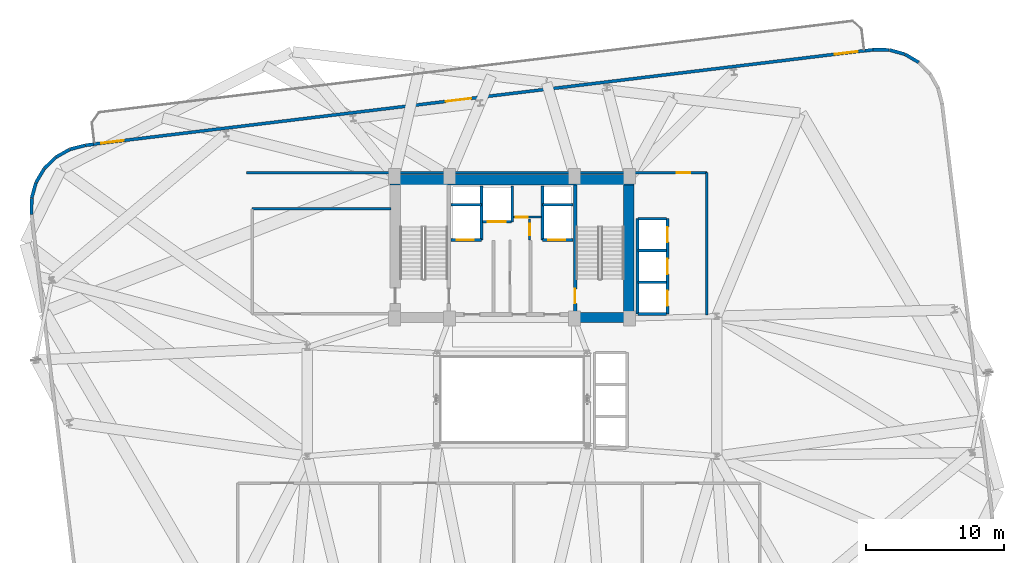
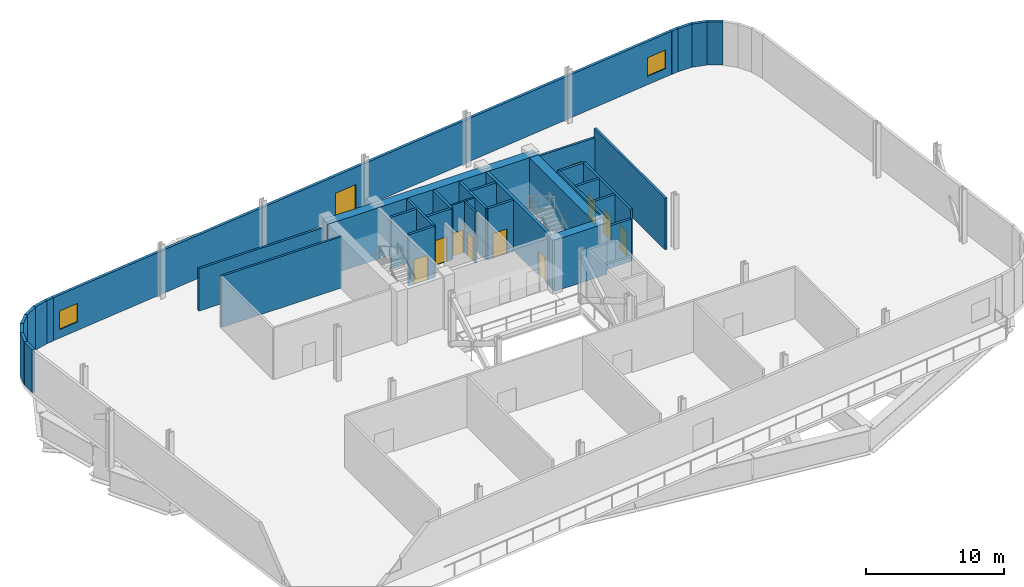
# One storey, part 6 of 11: 35 walls, 11 doors, 2 windows, 13 openings.
"""IFC4 building model written with IfcOpenShell, lengths in metres."""

from ifc_helpers import new_model, si_unit, direction, frame, frame_2d, origin, place, context, subcontext, project, spatial, rectangle, extrude, material, layer, layer_set, type_object, element, fill, save


model = new_model("IFC4")

# Units and contexts
model_context = context("Model", 3, precision=1e-05, world=origin(), true_north=direction((0.0, 1.0)))
body_context = subcontext(model_context, "Body", "Model", "MODEL_VIEW")
ifc_project = project(units=[si_unit("LENGTHUNIT", "METRE"), si_unit("AREAUNIT", "SQUARE_METRE"), si_unit("VOLUMEUNIT", "CUBIC_METRE"), si_unit("PLANEANGLEUNIT", "RADIAN"), si_unit("MASSUNIT", "GRAM", prefix="KILO")], contexts=[model_context])

# Site, building, storey
site_placement = place(None, origin())
site = spatial("IfcSite", under=ifc_project, at=site_placement, CompositionType="ELEMENT")
building_placement = place(site_placement, origin())
building = spatial("IfcBuilding", under=site, at=building_placement, Name="Varnelok Gate Tower", CompositionType="ELEMENT")
storey_placement = place(building_placement, frame((0.0, 0.0, 162.39990234375)))
storey = spatial("IfcBuildingStorey", under=building, at=storey_placement, Name="L41", CompositionType="ELEMENT", Elevation=162.39990234375)

# Wall, openings, door, windows
ifc_material_1 = material(Name="Concrete C45/55", Category="concrete")
ifc_layer_1 = layer(ifc_material_1, 0.219970703125)
ifc_layer_set_1 = layer_set([ifc_layer_1], Name="Concrete C45/55")
wall_type_1 = type_object("IfcWallType", Name="EW-BALC-220", PredefinedType="SOLIDWALL", material=ifc_layer_set_1)
wall_1_placement = place(storey_placement, frame((8.94677734375, 41.365966796875, 0.0), z_axis=(0.0, 0.0, 1.0), x_axis=(0.99273203641, 0.120345768043, 0.0)))
wall_1 = element("IfcWall", 1, at=wall_1_placement, inside=storey, type_object=wall_type_1, Name="L41 North Terrace Envelope Wall 2", PredefinedType="SOLIDWALL", context=body_context, shape_type="SweptSolid", body=[
    extrude(rectangle(XDim=56.199951171875, YDim=0.219970703125, at=frame_2d((28.10009765625, 0.0))), origin(), (0.0, 0.0, 1.0), 3.830078125),
])
opening_1_placement = place(wall_1_placement, frame((25.638671875, 0.0, 0.0)))
opening_1 = element("IfcOpeningElement", 2, at=opening_1_placement, cuts=wall_1, Name="Opening SGD-1", PredefinedType="OPENING", context=body_context, shape_type="SweptSolid", body=[
    extrude(rectangle(XDim=1.85009765625, YDim=2.300048828125, at=frame_2d((0.925048828125, 1.14990234375))), frame((0.0, 0.119873046875, 0.0), z_axis=(0.0, -1.0, 0.0), x_axis=(1.0, 0.0, 0.0)), (0.0, 0.0, 1.0), 0.239990234375),
])
opening_2_placement = place(wall_1_placement, frame((0.550048828125, 0.0, 0.75)))
opening_2 = element("IfcOpeningElement", 3, at=opening_2_placement, cuts=wall_1, Name="Opening WN3", PredefinedType="OPENING", context=body_context, shape_type="SweptSolid", body=[
    extrude(rectangle(XDim=1.64990234375, YDim=1.64990234375, at=frame_2d((0.824951171875, 0.824951171875))), frame((0.0, 0.119873046875, 0.0), z_axis=(0.0, -1.0, 0.0), x_axis=(1.0, 0.0, 0.0)), (0.0, 0.0, 1.0), 0.239990234375),
])
opening_3_placement = place(wall_1_placement, frame((54.0, 0.0, 0.75)))
opening_3 = element("IfcOpeningElement", 4, at=opening_3_placement, cuts=wall_1, Name="Opening WN3", PredefinedType="OPENING", context=body_context, shape_type="SweptSolid", body=[
    extrude(rectangle(XDim=1.64990234375, YDim=1.64990234375, at=frame_2d((0.824951171875, 0.824951171875))), frame((0.0, 0.119873046875, 0.0), z_axis=(0.0, -1.0, 0.0), x_axis=(1.0, 0.0, 0.0)), (0.0, 0.0, 1.0), 0.239990234375),
])
ifc_material_2 = material(Name="Anodized Aluminum Alloy 6063-T6", Category="aluminium")
door_type_1 = type_object("IfcDoorType", Name="DR-EXT-SKYG1850", OperationType="DOUBLE_DOOR_SINGLE_SWING", PredefinedType="DOOR", material=ifc_material_2)
door_1_placement = place(opening_1_placement, origin())
door_1 = element("IfcDoor", 5, at=door_1_placement, inside=storey, type_object=door_type_1, Name="L41 North Sky Garden Glazed Door 2", OperationType="DOUBLE_DOOR_SINGLE_SWING", OverallHeight=2.300048828125, OverallWidth=1.85009765625, PredefinedType="DOOR", context=body_context, shape_type="SweptSolid", body=[
    extrude(rectangle(XDim=1.85009765625, YDim=2.300048828125, at=frame_2d((0.925048828125, 1.14990234375))), frame((0.0, 0.02490234375, 0.0), z_axis=(0.0, -1.0, 0.0), x_axis=(1.0, 0.0, 0.0)), (0.0, 0.0, 1.0), 0.050048828125),
])
fill(opening_1, door_1)
ifc_material_3 = material(Name="Low-E Laminated Double Glazing IGU", Category="glass")
window_type = type_object("IfcWindowType", Name="WN-HTL-1650", PartitioningType="SINGLE_PANEL", PredefinedType="WINDOW", material=ifc_material_3)
window_1_placement = place(opening_2_placement, origin())
window_1 = element("IfcWindow", 6, at=window_1_placement, inside=storey, type_object=window_type, Name="L41 North Vision Window 2.1", OverallHeight=1.64990234375, OverallWidth=1.64990234375, PartitioningType="SINGLE_PANEL", PredefinedType="WINDOW", context=body_context, shape_type="SweptSolid", body=[
    extrude(rectangle(XDim=1.64990234375, YDim=1.64990234375, at=frame_2d((0.824951171875, 0.824951171875))), frame((0.0, 0.030029296875, 0.0), z_axis=(0.0, -1.0, 0.0), x_axis=(1.0, 0.0, 0.0)), (0.0, 0.0, 1.0), 0.06005859375),
])
fill(opening_2, window_1)
window_2_placement = place(opening_3_placement, origin())
window_2 = element("IfcWindow", 7, at=window_2_placement, inside=storey, type_object=window_type, Name="L41 North Vision Window 2.2", OverallHeight=1.64990234375, OverallWidth=1.64990234375, PartitioningType="SINGLE_PANEL", PredefinedType="WINDOW", context=body_context, shape_type="SweptSolid", body=[
    extrude(rectangle(XDim=1.64990234375, YDim=1.64990234375, at=frame_2d((0.824951171875, 0.824951171875))), frame((0.0, 0.030029296875, 0.0), z_axis=(0.0, -1.0, 0.0), x_axis=(1.0, 0.0, 0.0)), (0.0, 0.0, 1.0), 0.06005859375),
])
fill(opening_3, window_2)

# Walls
ifc_layer_2 = layer(ifc_material_1, 0.239990234375)
ifc_layer_set_2 = layer_set([ifc_layer_2], Name="Concrete C45/55")
wall_type_2 = type_object("IfcWallType", Name="EW-PLANT-240", PredefinedType="SOLIDWALL", material=ifc_layer_set_2)
wall_2_placement = place(storey_placement, frame((68.615478515625, 47.2822265625, 0.0), z_axis=(0.0, 0.0, 1.0), x_axis=(-0.860807556343, 0.508930595409, 0.0)))
element("IfcWall", 8, at=wall_2_placement, inside=storey, type_object=wall_type_2, Name="L41 Perimeter Facade Closure Wall 19", PredefinedType="SOLIDWALL", context=body_context, shape_type="SweptSolid", body=[
    extrude(rectangle(XDim=1.14404296875, YDim=0.239990234375, at=frame_2d((0.572021484375, 0.0))), origin(), (0.0, 0.0, 1.0), 3.830078125),
])
wall_3_placement = place(storey_placement, frame((67.606689453125, 47.87109375, 0.0), z_axis=(0.0, 0.0, 1.0), x_axis=(-0.963196301333, 0.268798967814, 0.0)))
element("IfcWall", 9, at=wall_3_placement, inside=storey, type_object=wall_type_2, Name="L41 Perimeter Facade Closure Wall 20", PredefinedType="SOLIDWALL", context=body_context, shape_type="SweptSolid", body=[
    extrude(rectangle(XDim=1.14453125, YDim=0.239990234375, at=frame_2d((0.572265625, 0.0))), origin(), (0.0, 0.0, 1.0), 3.830078125),
])
wall_4_placement = place(storey_placement, frame((66.4794921875, 48.1787109375, 0.0), z_axis=(0.0, 0.0, 1.0), x_axis=(-0.99994611808, 0.010380796565, 0.0)))
element("IfcWall", 10, at=wall_4_placement, inside=storey, type_object=wall_type_2, Name="L41 Perimeter Facade Closure Wall 21", PredefinedType="SOLIDWALL", context=body_context, shape_type="SweptSolid", body=[
    extrude(rectangle(XDim=1.15234375, YDim=0.239990234375, at=frame_2d((0.576171875, 0.0))), origin(), (0.0, 0.0, 1.0), 3.830078125),
])
wall_5_placement = place(storey_placement, frame((65.302490234375, 48.1875, 0.0), z_axis=(0.0, 0.0, 1.0), x_axis=(-0.992760251008, -0.120112797065, 0.0)))
element("IfcWall", 11, at=wall_5_placement, inside=storey, type_object=wall_type_2, Name="L41 Perimeter Facade Closure Wall 22", PredefinedType="SOLIDWALL", context=body_context, shape_type="SweptSolid", body=[
    extrude(rectangle(XDim=0.567138671875, YDim=0.239990234375, at=frame_2d((0.28369140625, 0.0))), origin(), (0.0, 0.0, 1.0), 3.830078125),
])
wall_6_placement = place(storey_placement, frame((8.947998046875, 41.35595703125, 0.0), z_axis=(0.0, 0.0, 1.0), x_axis=(-0.992727811402, -0.120380615004, 0.0)))
element("IfcWall", 12, at=wall_6_placement, inside=storey, type_object=wall_type_2, Name="L41 Perimeter Facade Closure Wall 23", PredefinedType="SOLIDWALL", context=body_context, shape_type="SweptSolid", body=[
    extrude(rectangle(XDim=0.59228515625, YDim=0.239990234375, at=frame_2d((0.296142578125, 0.0))), origin(), (0.0, 0.0, 1.0), 3.830078125),
])
wall_7_placement = place(storey_placement, frame((8.335693359375, 41.278564453125, 0.0), z_axis=(0.0, 0.0, 1.0), x_axis=(-0.968500234366, -0.249012642315, 0.0)))
element("IfcWall", 13, at=wall_7_placement, inside=storey, type_object=wall_type_2, Name="L41 Perimeter Facade Closure Wall 24", PredefinedType="SOLIDWALL", context=body_context, shape_type="SweptSolid", body=[
    extrude(rectangle(XDim=1.152099609375, YDim=0.239990234375, at=frame_2d((0.576171875, 0.0))), origin(), (0.0, 0.0, 1.0), 3.830078125),
])
for number, where, z_axis, x_axis, name in (
    (14, (7.197998046875, 40.9794921875, 0.0), (0.0, 0.0, 1.0), (-0.871039337101, -0.491213266538, 0.0), "L41 Perimeter Facade Closure Wall 25"),
    (15, (6.18359375, 40.39990234375, 0.0), (0.0, 0.0, 1.0), (-0.714430418225, -0.699706493835, 0.0), "L41 Perimeter Facade Closure Wall 26"),
):
    element("IfcWall", number, at=place(storey_placement, frame(where, z_axis=z_axis, x_axis=x_axis)), inside=storey, type_object=wall_type_2, Name=name, PredefinedType="SOLIDWALL", context=body_context, shape_type="SweptSolid", body=[
        extrude(rectangle(XDim=1.14404296875, YDim=0.239990234375, at=frame_2d((0.572021484375, 0.0))), origin(), (0.0, 0.0, 1.0), 3.830078125),
    ])
wall_8_placement = place(storey_placement, frame((5.353515625, 39.577880859375, 0.0), z_axis=(0.0, 0.0, 1.0), x_axis=(-0.508995209988, -0.860769351342, 0.0)))
element("IfcWall", 16, at=wall_8_placement, inside=storey, type_object=wall_type_2, Name="L41 Perimeter Facade Closure Wall 27", PredefinedType="SOLIDWALL", context=body_context, shape_type="SweptSolid", body=[
    extrude(rectangle(XDim=1.14453125, YDim=0.239990234375, at=frame_2d((0.572265625, 0.0))), origin(), (0.0, 0.0, 1.0), 3.830078125),
])
wall_9_placement = place(storey_placement, frame((4.764404296875, 38.568603515625, 0.0), z_axis=(0.0, 0.0, 1.0), x_axis=(-0.268854211828, -0.963180882692, 0.0)))
element("IfcWall", 17, at=wall_9_placement, inside=storey, type_object=wall_type_2, Name="L41 Perimeter Facade Closure Wall 28", PredefinedType="SOLIDWALL", context=body_context, shape_type="SweptSolid", body=[
    extrude(rectangle(XDim=1.144287109375, YDim=0.239990234375, at=frame_2d((0.572265625, 0.0))), origin(), (0.0, 0.0, 1.0), 3.830078125),
])
wall_10_placement = place(storey_placement, frame((4.456787109375, 37.441650390625, 0.0), z_axis=(0.0, 0.0, 1.0), x_axis=(-0.010380796565, -0.99994611808, 0.0)))
element("IfcWall", 18, at=wall_10_placement, inside=storey, type_object=wall_type_2, Name="L41 Perimeter Facade Closure Wall 29", PredefinedType="SOLIDWALL", context=body_context, shape_type="SweptSolid", body=[
    extrude(rectangle(XDim=1.15234375, YDim=0.239990234375, at=frame_2d((0.576171875, 0.0))), origin(), (0.0, 0.0, 1.0), 3.830078125),
])
ifc_material_4 = material(Name="Gypsum Plasterboard Acoustic Partition", Category="gypsum")
ifc_layer_3 = layer(ifc_material_4, 0.179931640625)
ifc_layer_set_3 = layer_set([ifc_layer_3], Name="Gypsum Plasterboard Acoustic Partition")
wall_type_3 = type_object("IfcWallType", Name="PW-CORR-180", PredefinedType="PARTITIONING", material=ifc_layer_set_3)
wall_11_placement = place(storey_placement, frame((20.39990234375, 36.679931640625, 0.0), z_axis=(0.0, 0.0, 1.0), x_axis=(1.0, 0.0, 0.0)))
element("IfcWall", 19, at=wall_11_placement, inside=storey, type_object=wall_type_3, Name="Interior Partition", PredefinedType="PARTITIONING", context=body_context, shape_type="SweptSolid", body=[
    extrude(rectangle(XDim=10.030029296875, YDim=0.179931640625, at=frame_2d((5.01513671875, 0.0))), origin(), (0.0, 0.0, 1.0), 4.550048828125),
])

# Wall, opening, door
wall_12_placement = place(storey_placement, frame((20.0, 39.300048828125, 0.0), z_axis=(0.0, 0.0, 1.0), x_axis=(1.0, 0.0, 0.0)))
wall_12 = element("IfcWall", 20, at=wall_12_placement, inside=storey, type_object=wall_type_3, Name="Interior Partition", PredefinedType="PARTITIONING", context=body_context, shape_type="SweptSolid", body=[
    extrude(rectangle(XDim=33.300048828125, YDim=0.179931640625, at=frame_2d((16.64990234375, 0.0))), origin(), (0.0, 0.0, 1.0), 3.76220703125),
])
opening_4_placement = place(wall_12_placement, frame((31.10009765625, 0.0, 0.0)))
opening_4 = element("IfcOpeningElement", 21, at=opening_4_placement, cuts=wall_12, Name="Opening D-I1", PredefinedType="OPENING", context=body_context, shape_type="SweptSolid", body=[
    extrude(rectangle(XDim=1.0, YDim=2.050048828125, at=frame_2d((0.5, 1.02490234375))), frame((0.0, 0.099853515625, 0.0), z_axis=(0.0, -1.0, 0.0), x_axis=(1.0, 0.0, 0.0)), (0.0, 0.0, 1.0), 0.199951171875),
])
ifc_material_5 = material(Name="Engineered Hardwood Timber", Category="wood")
door_type_2 = type_object("IfcDoorType", Name="DR-INT-1000", OperationType="NOTDEFINED", PredefinedType="DOOR", material=ifc_material_5)
door_2_placement = place(opening_4_placement, origin())
door_2 = element("IfcDoor", 22, at=door_2_placement, inside=storey, type_object=door_type_2, Name="L41 Sky Garden Lounge Door", OperationType="SINGLE_SWING_LEFT", OverallHeight=2.050048828125, OverallWidth=1.0, PredefinedType="DOOR", context=body_context, shape_type="SweptSolid", body=[
    extrude(rectangle(XDim=1.0, YDim=2.050048828125, at=frame_2d((0.5, 1.02490234375))), frame((0.0, 0.02490234375, 0.0), z_axis=(0.0, -1.0, 0.0), x_axis=(1.0, 0.0, 0.0)), (0.0, 0.0, 1.0), 0.050048828125),
])
fill(opening_4, door_2)

# Wall
wall_13_placement = place(storey_placement, frame((53.300048828125, 29.02001953125, 0.0), z_axis=(0.0, 0.0, 1.0), x_axis=(0.0, 1.0, 0.0)))
element("IfcWall", 23, at=wall_13_placement, inside=storey, type_object=wall_type_3, Name="Interior Partition", PredefinedType="PARTITIONING", context=body_context, shape_type="SweptSolid", body=[
    extrude(rectangle(XDim=10.280029296875, YDim=0.179931640625, at=frame_2d((5.14013671875, 0.0))), origin(), (0.0, 0.0, 1.0), 4.550048828125),
])

# Wall, opening, door
ifc_layer_4 = layer(ifc_material_4, 0.14990234375)
ifc_layer_set_4 = layer_set([ifc_layer_4], Name="Gypsum Plasterboard Acoustic Partition")
wall_type_4 = type_object("IfcWallType", Name="PW-PART-150", PredefinedType="PARTITIONING", material=ifc_layer_set_4)
wall_14_placement = place(storey_placement, frame((39.300048828125, 36.080078125, 0.0), z_axis=(0.0, 0.0, 1.0), x_axis=(1.0, 0.0, 0.0)))
wall_14 = element("IfcWall", 24, at=wall_14_placement, inside=storey, type_object=wall_type_4, Name="L41 Electrical Closet South Wall", PredefinedType="PARTITIONING", context=body_context, shape_type="SweptSolid", body=[
    extrude(rectangle(XDim=2.02001953125, YDim=0.14990234375, at=frame_2d((1.010009765625, 0.0))), origin(), (0.0, 0.0, 1.0), 4.550048828125),
])
opening_5_placement = place(wall_14_placement, frame((0.179931640625, 0.0, 0.0)))
opening_5 = element("IfcOpeningElement", 25, at=opening_5_placement, cuts=wall_14, Name="Opening D-RS", PredefinedType="OPENING", context=body_context, shape_type="SweptSolid", body=[
    extrude(rectangle(XDim=0.85009765625, YDim=2.050048828125, at=frame_2d((0.425048828125, 1.02490234375))), frame((0.0, 0.0849609375, 0.0), z_axis=(0.0, -1.0, 0.0), x_axis=(1.0, 0.0, 0.0)), (0.0, 0.0, 1.0), 0.169921875),
])
ifc_material_6 = material(Name="Galvanized Steel Grade S350GD", Category="steel")
door_type_3 = type_object("IfcDoorType", Name="DR-RISER-850", OperationType="NOTDEFINED", PredefinedType="DOOR", material=ifc_material_6)
door_3_placement = place(opening_5_placement, origin())
door_3 = element("IfcDoor", 26, at=door_3_placement, inside=storey, type_object=door_type_3, Name="L41 Electrical Closet Door", OperationType="SINGLE_SWING_RIGHT", OverallHeight=2.050048828125, OverallWidth=0.85009765625, PredefinedType="DOOR", context=body_context, shape_type="SweptSolid", body=[
    extrude(rectangle(XDim=0.85009765625, YDim=2.050048828125, at=frame_2d((0.425048828125, 1.02490234375))), frame((0.0, 0.02490234375, 0.0), z_axis=(0.0, -1.0, 0.0), x_axis=(1.0, 0.0, 0.0)), (0.0, 0.0, 1.0), 0.050048828125),
])
fill(opening_5, door_3)

wall_15_placement = place(storey_placement, frame((40.47998046875, 34.43994140625, 0.0), z_axis=(0.0, 0.0, 1.0), x_axis=(0.0, 1.0, 0.0)))
wall_15 = element("IfcWall", 27, at=wall_15_placement, inside=storey, type_object=wall_type_4, Name="L41 Telecoms Closet West Wall", PredefinedType="PARTITIONING", context=body_context, shape_type="SweptSolid", body=[
    extrude(rectangle(XDim=1.52001953125, YDim=0.14990234375, at=frame_2d((0.760009765625, 0.0))), origin(), (0.0, 0.0, 1.0), 4.550048828125),
])
opening_6_placement = place(wall_15_placement, frame((0.320068359375, 0.0, 0.0)))
opening_6 = element("IfcOpeningElement", 28, at=opening_6_placement, cuts=wall_15, Name="Opening D-RS", PredefinedType="OPENING", context=body_context, shape_type="SweptSolid", body=[
    extrude(rectangle(XDim=0.85009765625, YDim=2.050048828125, at=frame_2d((0.425048828125, 1.02490234375))), frame((0.0, 0.0849609375, 0.0), z_axis=(0.0, -1.0, 0.0), x_axis=(1.0, 0.0, 0.0)), (0.0, 0.0, 1.0), 0.169921875),
])
door_4_placement = place(opening_6_placement, origin())
door_4 = element("IfcDoor", 29, at=door_4_placement, inside=storey, type_object=door_type_3, Name="L41 Telecoms Closet Door", OperationType="SINGLE_SWING_LEFT", OverallHeight=2.050048828125, OverallWidth=0.85009765625, PredefinedType="DOOR", context=body_context, shape_type="SweptSolid", body=[
    extrude(rectangle(XDim=0.85009765625, YDim=2.050048828125, at=frame_2d((0.425048828125, 1.02490234375))), frame((0.0, 0.02490234375, 0.0), z_axis=(0.0, -1.0, 0.0), x_axis=(1.0, 0.0, 0.0)), (0.0, 0.0, 1.0), 0.050048828125),
])
fill(opening_6, door_4)

ifc_material_7 = material(Name="Concrete C35/45", Category="concrete")
ifc_layer_5 = layer(ifc_material_7, 0.199951171875)
ifc_layer_set_5 = layer_set([ifc_layer_5], Name="Concrete C35/45")
wall_type_5 = type_object("IfcWallType", Name="PW-SHAFT-200", PredefinedType="PARTITIONING", material=ifc_layer_set_5)
wall_16_placement = place(storey_placement, frame((34.800048828125, 34.43994140625, 0.0), z_axis=(0.0, 0.0, 1.0), x_axis=(1.0, 0.0, 0.0)))
wall_16 = element("IfcWall", 30, at=wall_16_placement, inside=storey, type_object=wall_type_5, Name="L41 FF1 Shaft Front Wall", PredefinedType="PARTITIONING", context=body_context, shape_type="SweptSolid", body=[
    extrude(rectangle(XDim=2.179931640625, YDim=0.199951171875, at=frame_2d((1.08984375, 0.0))), origin(), (0.0, 0.0, 1.0), 4.550048828125),
])
opening_7_placement = place(wall_16_placement, frame((0.419921875, 0.0, 0.0)))
opening_7 = element("IfcOpeningElement", 31, at=opening_7_placement, cuts=wall_16, Name="Opening LD-FF1", PredefinedType="OPENING", context=body_context, shape_type="SweptSolid", body=[
    extrude(rectangle(XDim=1.199951171875, YDim=2.199951171875, at=frame_2d((0.60009765625, 1.10009765625))), frame((0.0, 0.10986328125, 0.0), z_axis=(0.0, -1.0, 0.0), x_axis=(1.0, 0.0, 0.0)), (0.0, 0.0, 1.0), 0.219970703125),
])
door_type_4 = type_object("IfcDoorType", Name="DR-LIFT-FF1200", OperationType="SLIDING_TO_LEFT", PredefinedType="DOOR", material=ifc_material_6)
door_5_placement = place(opening_7_placement, origin())
door_5 = element("IfcDoor", 32, at=door_5_placement, inside=storey, type_object=door_type_4, Name="L41 Firefighting Lift Landing Door LD-FF1", OperationType="SLIDING_TO_LEFT", OverallHeight=2.199951171875, OverallWidth=1.199951171875, PredefinedType="DOOR", context=body_context, shape_type="SweptSolid", body=[
    extrude(rectangle(XDim=1.199951171875, YDim=2.199951171875, at=frame_2d((0.60009765625, 1.10009765625))), frame((0.0, 0.02490234375, 0.0), z_axis=(0.0, -1.0, 0.0), x_axis=(1.0, 0.0, 0.0)), (0.0, 0.0, 1.0), 0.050048828125),
])
fill(opening_7, door_5)

# Walls
wall_17_placement = place(storey_placement, frame((34.800048828125, 36.97998046875, 0.0), z_axis=(0.0, 0.0, 1.0), x_axis=(1.0, 0.0, 0.0)))
element("IfcWall", 33, at=wall_17_placement, inside=storey, type_object=wall_type_5, Name="L41 FF1 Shaft North Wall", PredefinedType="PARTITIONING", context=body_context, shape_type="SweptSolid", body=[
    extrude(rectangle(XDim=2.179931640625, YDim=0.199951171875, at=frame_2d((1.08984375, 0.0))), origin(), (0.0, 0.0, 1.0), 4.550048828125),
])
wall_18_placement = place(storey_placement, frame((37.0, 34.43994140625, 0.0), z_axis=(0.0, 0.0, 1.0), x_axis=(0.0, 1.0, 0.0)))
element("IfcWall", 34, at=wall_18_placement, inside=storey, type_object=wall_type_5, Name="L41 FF1 Shaft Side Wall", PredefinedType="PARTITIONING", context=body_context, shape_type="SweptSolid", body=[
    extrude(rectangle(XDim=3.900146484375, YDim=0.199951171875, at=frame_2d((1.9501953125, 0.0))), origin(), (0.0, 0.0, 1.0), 4.550048828125),
])

# Wall, opening, door
wall_19_placement = place(storey_placement, frame((41.419921875, 34.43994140625, 0.0), z_axis=(0.0, 0.0, 1.0), x_axis=(1.0, 0.0, 0.0)))
wall_19 = element("IfcWall", 35, at=wall_19_placement, inside=storey, type_object=wall_type_5, Name="L41 FF2 Shaft Front Wall", PredefinedType="PARTITIONING", context=body_context, shape_type="SweptSolid", body=[
    extrude(rectangle(XDim=2.18017578125, YDim=0.199951171875, at=frame_2d((1.090087890625, 0.0))), origin(), (0.0, 0.0, 1.0), 4.550048828125),
])
opening_8_placement = place(wall_19_placement, frame((0.419921875, 0.0, 0.0)))
opening_8 = element("IfcOpeningElement", 36, at=opening_8_placement, cuts=wall_19, Name="Opening LD-FF2", PredefinedType="OPENING", context=body_context, shape_type="SweptSolid", body=[
    extrude(rectangle(XDim=1.199951171875, YDim=2.199951171875, at=frame_2d((0.60009765625, 1.10009765625))), frame((0.0, 0.10986328125, 0.0), z_axis=(0.0, -1.0, 0.0), x_axis=(1.0, 0.0, 0.0)), (0.0, 0.0, 1.0), 0.219970703125),
])
door_6_placement = place(opening_8_placement, origin())
door_6 = element("IfcDoor", 37, at=door_6_placement, inside=storey, type_object=door_type_4, Name="L41 Firefighting Lift Landing Door LD-FF2", OperationType="SLIDING_TO_LEFT", OverallHeight=2.199951171875, OverallWidth=1.199951171875, PredefinedType="DOOR", context=body_context, shape_type="SweptSolid", body=[
    extrude(rectangle(XDim=1.199951171875, YDim=2.199951171875, at=frame_2d((0.60009765625, 1.10009765625))), frame((0.0, 0.02490234375, 0.0), z_axis=(0.0, -1.0, 0.0), x_axis=(1.0, 0.0, 0.0)), (0.0, 0.0, 1.0), 0.050048828125),
])
fill(opening_8, door_6)

# Walls
wall_20_placement = place(storey_placement, frame((41.419921875, 36.97998046875, 0.0), z_axis=(0.0, 0.0, 1.0), x_axis=(1.0, 0.0, 0.0)))
element("IfcWall", 38, at=wall_20_placement, inside=storey, type_object=wall_type_5, Name="L41 FF2 Shaft North Wall", PredefinedType="PARTITIONING", context=body_context, shape_type="SweptSolid", body=[
    extrude(rectangle(XDim=2.18017578125, YDim=0.199951171875, at=frame_2d((1.090087890625, 0.0))), origin(), (0.0, 0.0, 1.0), 4.550048828125),
])
wall_21_placement = place(storey_placement, frame((41.39990234375, 34.43994140625, 0.0), z_axis=(0.0, 0.0, 1.0), x_axis=(0.0, 1.0, 0.0)))
element("IfcWall", 39, at=wall_21_placement, inside=storey, type_object=wall_type_5, Name="L41 FF2 Shaft Side Wall", PredefinedType="PARTITIONING", context=body_context, shape_type="SweptSolid", body=[
    extrude(rectangle(XDim=3.900146484375, YDim=0.199951171875, at=frame_2d((1.9501953125, 0.0))), origin(), (0.0, 0.0, 1.0), 4.550048828125),
])

# Wall, opening, door
wall_22_placement = place(storey_placement, frame((37.06005859375, 35.75, 0.0), z_axis=(0.0, 0.0, 1.0), x_axis=(1.0, 0.0, 0.0)))
wall_22 = element("IfcWall", 40, at=wall_22_placement, inside=storey, type_object=wall_type_5, Name="L41 SV1 Shaft Front Wall", PredefinedType="PARTITIONING", context=body_context, shape_type="SweptSolid", body=[
    extrude(rectangle(XDim=2.119873046875, YDim=0.199951171875, at=frame_2d((1.06005859375, 0.0))), origin(), (0.0, 0.0, 1.0), 4.550048828125),
])
opening_9_placement = place(wall_22_placement, frame((0.39990234375, 0.0, 0.0)))
opening_9 = element("IfcOpeningElement", 41, at=opening_9_placement, cuts=wall_22, Name="Opening LD-SV1", PredefinedType="OPENING", context=body_context, shape_type="SweptSolid", body=[
    extrude(rectangle(XDim=1.300048828125, YDim=2.199951171875, at=frame_2d((0.64990234375, 1.10009765625))), frame((0.0, 0.10986328125, 0.0), z_axis=(0.0, -1.0, 0.0), x_axis=(1.0, 0.0, 0.0)), (0.0, 0.0, 1.0), 0.219970703125),
])
door_type_5 = type_object("IfcDoorType", Name="DR-LIFT-SV1300", OperationType="SLIDING_TO_LEFT", PredefinedType="DOOR", material=ifc_material_6)
door_7_placement = place(opening_9_placement, origin())
door_7 = element("IfcDoor", 42, at=door_7_placement, inside=storey, type_object=door_type_5, Name="L41 Service Lift Landing Door LD-SV1", OperationType="SLIDING_TO_LEFT", OverallHeight=2.199951171875, OverallWidth=1.300048828125, PredefinedType="DOOR", context=body_context, shape_type="SweptSolid", body=[
    extrude(rectangle(XDim=1.300048828125, YDim=2.199951171875, at=frame_2d((0.64990234375, 1.10009765625))), frame((0.0, 0.02490234375, 0.0), z_axis=(0.0, -1.0, 0.0), x_axis=(1.0, 0.0, 0.0)), (0.0, 0.0, 1.0), 0.050048828125),
])
fill(opening_9, door_7)

# Walls
wall_23_placement = place(storey_placement, frame((39.219970703125, 35.75, 0.0), z_axis=(0.0, 0.0, 1.0), x_axis=(0.0, 1.0, 0.0)))
element("IfcWall", 43, at=wall_23_placement, inside=storey, type_object=wall_type_5, Name="L41 SV1 Shaft East Wall", PredefinedType="PARTITIONING", context=body_context, shape_type="SweptSolid", body=[
    extrude(rectangle(XDim=2.590087890625, YDim=0.199951171875, at=frame_2d((1.294921875, 0.0))), origin(), (0.0, 0.0, 1.0), 4.550048828125),
])
for number, where, z_axis, x_axis, name in (
    (44, (48.320068359375, 31.375, 0.0), (0.0, 0.0, 1.0), (1.0, 0.0, 0.0), "L41 PM1 Divider"),
    (45, (48.320068359375, 33.675048828125, 0.0), (0.0, 0.0, 1.0), (1.0, 0.0, 0.0), "L41 PM2 Divider"),
):
    element("IfcWall", number, at=place(storey_placement, frame(where, z_axis=z_axis, x_axis=x_axis)), inside=storey, type_object=wall_type_5, Name=name, PredefinedType="PARTITIONING", context=body_context, shape_type="SweptSolid", body=[
        extrude(rectangle(XDim=2.059814453125, YDim=0.199951171875, at=frame_2d((1.02978515625, 0.0))), origin(), (0.0, 0.0, 1.0), 4.550048828125),
    ])
wall_24_placement = place(storey_placement, frame((48.320068359375, 29.080078125, 0.0), z_axis=(0.0, 0.0, 1.0), x_axis=(1.0, 0.0, 0.0)))
element("IfcWall", 46, at=wall_24_placement, inside=storey, type_object=wall_type_5, Name="L41 PM Bank South Wall", PredefinedType="PARTITIONING", context=body_context, shape_type="SweptSolid", body=[
    extrude(rectangle(XDim=2.059814453125, YDim=0.199951171875, at=frame_2d((1.02978515625, 0.0))), origin(), (0.0, 0.0, 1.0), 3.76220703125),
])
wall_25_placement = place(storey_placement, frame((48.320068359375, 35.969970703125, 0.0), z_axis=(0.0, 0.0, 1.0), x_axis=(1.0, 0.0, 0.0)))
element("IfcWall", 47, at=wall_25_placement, inside=storey, type_object=wall_type_5, Name="L41 PM Bank North Wall", PredefinedType="PARTITIONING", context=body_context, shape_type="SweptSolid", body=[
    extrude(rectangle(XDim=2.059814453125, YDim=0.199951171875, at=frame_2d((1.02978515625, 0.0))), origin(), (0.0, 0.0, 1.0), 4.550048828125),
])
wall_26_placement = place(storey_placement, frame((48.280029296875, 29.080078125, 0.0), z_axis=(0.0, 0.0, 1.0), x_axis=(0.0, 1.0, 0.0)))
element("IfcWall", 48, at=wall_26_placement, inside=storey, type_object=wall_type_5, Name="L41 PM Bank Back Wall", PredefinedType="PARTITIONING", context=body_context, shape_type="SweptSolid", body=[
    extrude(rectangle(XDim=6.889892578125, YDim=0.199951171875, at=frame_2d((3.44482421875, 0.0))), origin(), (0.0, 0.0, 1.0), 4.550048828125),
])

# Wall, openings, doors
wall_27_placement = place(storey_placement, frame((50.43994140625, 29.080078125, 0.0), z_axis=(0.0, 0.0, 1.0), x_axis=(0.0, 1.0, 0.0)))
wall_27 = element("IfcWall", 49, at=wall_27_placement, inside=storey, type_object=wall_type_5, Name="L41 PM Bank Front Wall", PredefinedType="PARTITIONING", context=body_context, shape_type="SweptSolid", body=[
    extrude(rectangle(XDim=6.889892578125, YDim=0.199951171875, at=frame_2d((3.44482421875, 0.0))), origin(), (0.0, 0.0, 1.0), 4.550048828125),
])
opening_10_placement = place(wall_27_placement, frame((0.590087890625, 0.0, 0.0)))
opening_10 = element("IfcOpeningElement", 50, at=opening_10_placement, cuts=wall_27, Name="Opening LD-PM1", PredefinedType="OPENING", context=body_context, shape_type="SweptSolid", body=[
    extrude(rectangle(XDim=1.10009765625, YDim=2.14990234375, at=frame_2d((0.550048828125, 1.074951171875))), frame((0.0, 0.10986328125, 0.0), z_axis=(0.0, -1.0, 0.0), x_axis=(1.0, 0.0, 0.0)), (0.0, 0.0, 1.0), 0.219970703125),
])
opening_11_placement = place(wall_27_placement, frame((2.889892578125, 0.0, 0.0)))
opening_11 = element("IfcOpeningElement", 51, at=opening_11_placement, cuts=wall_27, Name="Opening LD-PM2", PredefinedType="OPENING", context=body_context, shape_type="SweptSolid", body=[
    extrude(rectangle(XDim=1.10009765625, YDim=2.14990234375, at=frame_2d((0.550048828125, 1.074951171875))), frame((0.0, 0.10986328125, 0.0), z_axis=(0.0, -1.0, 0.0), x_axis=(1.0, 0.0, 0.0)), (0.0, 0.0, 1.0), 0.219970703125),
])
opening_12_placement = place(wall_27_placement, frame((5.18994140625, 0.0, 0.0)))
opening_12 = element("IfcOpeningElement", 52, at=opening_12_placement, cuts=wall_27, Name="Opening LD-PM3", PredefinedType="OPENING", context=body_context, shape_type="SweptSolid", body=[
    extrude(rectangle(XDim=1.10009765625, YDim=2.14990234375, at=frame_2d((0.550048828125, 1.074951171875))), frame((0.0, 0.10986328125, 0.0), z_axis=(0.0, -1.0, 0.0), x_axis=(1.0, 0.0, 0.0)), (0.0, 0.0, 1.0), 0.219970703125),
])
door_type_6 = type_object("IfcDoorType", Name="DR-LIFT-PAX1100", OperationType="SLIDING_TO_LEFT", PredefinedType="DOOR", material=ifc_material_6)
door_8_placement = place(opening_10_placement, origin())
door_8 = element("IfcDoor", 53, at=door_8_placement, inside=storey, type_object=door_type_6, Name="L41 Passenger Lift Landing Door LD-PM1", OperationType="SLIDING_TO_LEFT", OverallHeight=2.14990234375, OverallWidth=1.10009765625, PredefinedType="DOOR", context=body_context, shape_type="SweptSolid", body=[
    extrude(rectangle(XDim=1.10009765625, YDim=2.14990234375, at=frame_2d((0.550048828125, 1.074951171875))), frame((0.0, 0.02490234375, 0.0), z_axis=(0.0, -1.0, 0.0), x_axis=(1.0, 0.0, 0.0)), (0.0, 0.0, 1.0), 0.050048828125),
])
fill(opening_10, door_8)
door_9_placement = place(opening_11_placement, origin())
door_9 = element("IfcDoor", 54, at=door_9_placement, inside=storey, type_object=door_type_6, Name="L41 Passenger Lift Landing Door LD-PM2", OperationType="SLIDING_TO_LEFT", OverallHeight=2.14990234375, OverallWidth=1.10009765625, PredefinedType="DOOR", context=body_context, shape_type="SweptSolid", body=[
    extrude(rectangle(XDim=1.10009765625, YDim=2.14990234375, at=frame_2d((0.550048828125, 1.074951171875))), frame((0.0, 0.02490234375, 0.0), z_axis=(0.0, -1.0, 0.0), x_axis=(1.0, 0.0, 0.0)), (0.0, 0.0, 1.0), 0.050048828125),
])
fill(opening_11, door_9)
door_10_placement = place(opening_12_placement, origin())
door_10 = element("IfcDoor", 55, at=door_10_placement, inside=storey, type_object=door_type_6, Name="L41 Passenger Lift Landing Door LD-PM3", OperationType="SLIDING_TO_LEFT", OverallHeight=2.14990234375, OverallWidth=1.10009765625, PredefinedType="DOOR", context=body_context, shape_type="SweptSolid", body=[
    extrude(rectangle(XDim=1.10009765625, YDim=2.14990234375, at=frame_2d((0.550048828125, 1.074951171875))), frame((0.0, 0.02490234375, 0.0), z_axis=(0.0, -1.0, 0.0), x_axis=(1.0, 0.0, 0.0)), (0.0, 0.0, 1.0), 0.050048828125),
])
fill(opening_12, door_10)

# Walls
ifc_material_8 = material(Name="Concrete C70/85", Category="concrete")
ifc_layer_6 = layer(ifc_material_8, 0.75)
ifc_layer_set_6 = layer_set([ifc_layer_6], Name="Concrete C70/85")
wall_type_6 = type_object("IfcWallType", Name="SW-CORE-750", PredefinedType="SHEAR", material=ifc_layer_set_6)
wall_28_placement = place(storey_placement, frame((30.3798828125, 38.794921875, 0.0), z_axis=(0.0, 0.0, 1.0), x_axis=(1.0, 0.0, 0.0)))
element("IfcWall", 56, at=wall_28_placement, inside=storey, type_object=wall_type_6, Name="L41 Rear Core North Shear Wall", PredefinedType="SHEAR", context=body_context, shape_type="SweptSolid", body=[
    extrude(rectangle(XDim=17.64013671875, YDim=0.75, at=frame_2d((8.820068359375, 0.0))), origin(), (0.0, 0.0, 1.0), 4.550048828125),
])
wall_29_placement = place(storey_placement, frame((47.64501953125, 29.199951171875, 0.0), z_axis=(0.0, 0.0, 1.0), x_axis=(0.0, 1.0, 0.0)))
element("IfcWall", 57, at=wall_29_placement, inside=storey, type_object=wall_type_6, Name="L41 Rear Core East Shear Wall", PredefinedType="SHEAR", context=body_context, shape_type="SweptSolid", body=[
    extrude(rectangle(XDim=9.219970703125, YDim=0.75, at=frame_2d((4.60986328125, 0.0))), origin(), (0.0, 0.0, 1.0), 4.550048828125),
])
wall_30_placement = place(storey_placement, frame((43.60009765625, 28.824951171875, 0.0), z_axis=(0.0, 0.0, 1.0), x_axis=(1.0, 0.0, 0.0)))
element("IfcWall", 58, at=wall_30_placement, inside=storey, type_object=wall_type_6, Name="L41 Rear Core South-East Shear Wall", PredefinedType="SHEAR", context=body_context, shape_type="SweptSolid", body=[
    extrude(rectangle(XDim=4.419921875, YDim=0.75, at=frame_2d((2.2099609375, 0.0))), origin(), (0.0, 0.0, 1.0), 4.550048828125),
])

# Wall, opening, door
ifc_material_9 = material(Name="Concrete C60/75", Category="concrete")
ifc_layer_7 = layer(ifc_material_9, 0.25)
ifc_layer_set_7 = layer_set([ifc_layer_7], Name="Concrete C60/75")
wall_type_7 = type_object("IfcWallType", Name="SW-SHAFT-250", PredefinedType="SHEAR", material=ifc_layer_set_7)
wall_31_placement = place(storey_placement, frame((43.760009765625, 29.199951171875, 0.0), z_axis=(0.0, 0.0, 1.0), x_axis=(0.0, 1.0, 0.0)))
wall_31 = element("IfcWall", 59, at=wall_31_placement, inside=storey, type_object=wall_type_7, Name="L41 Stair ST-2 West Shear Wall", PredefinedType="SHEAR", context=body_context, shape_type="SweptSolid", body=[
    extrude(rectangle(XDim=9.219970703125, YDim=0.25, at=frame_2d((4.60986328125, 0.0))), origin(), (0.0, 0.0, 1.0), 4.550048828125),
])
opening_13_placement = place(wall_31_placement, frame((0.64990234375, 0.0, 0.0)))
opening_13 = element("IfcOpeningElement", 60, at=opening_13_placement, cuts=wall_31, Name="Opening D-ST", PredefinedType="OPENING", context=body_context, shape_type="SweptSolid", body=[
    extrude(rectangle(XDim=1.050048828125, YDim=2.14990234375, at=frame_2d((0.52490234375, 1.074951171875))), frame((0.0, 0.135009765625, 0.0), z_axis=(0.0, -1.0, 0.0), x_axis=(1.0, 0.0, 0.0)), (0.0, 0.0, 1.0), 0.27001953125),
])
door_type_7 = type_object("IfcDoorType", Name="DR-STAIR-1050", OperationType="NOTDEFINED", PredefinedType="DOOR", material=ifc_material_6)
door_11_placement = place(opening_13_placement, origin())
door_11 = element("IfcDoor", 61, at=door_11_placement, inside=storey, type_object=door_type_7, Name="L41 Exit Stair ST-2 Fire Door", OperationType="SINGLE_SWING_RIGHT", OverallHeight=2.14990234375, OverallWidth=1.050048828125, PredefinedType="DOOR", context=body_context, shape_type="SweptSolid", body=[
    extrude(rectangle(XDim=1.050048828125, YDim=2.14990234375, at=frame_2d((0.52490234375, 1.074951171875))), frame((0.0, 0.02490234375, 0.0), z_axis=(0.0, -1.0, 0.0), x_axis=(1.0, 0.0, 0.0)), (0.0, 0.0, 1.0), 0.050048828125),
])
fill(opening_13, door_11)

save(model, "model.ifc")
